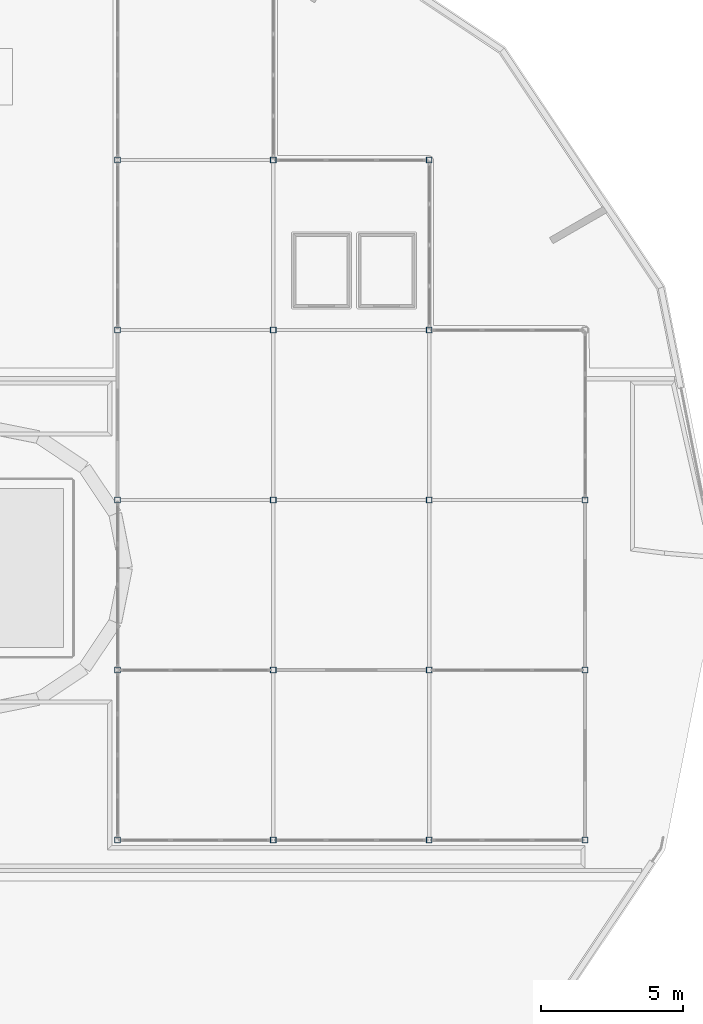
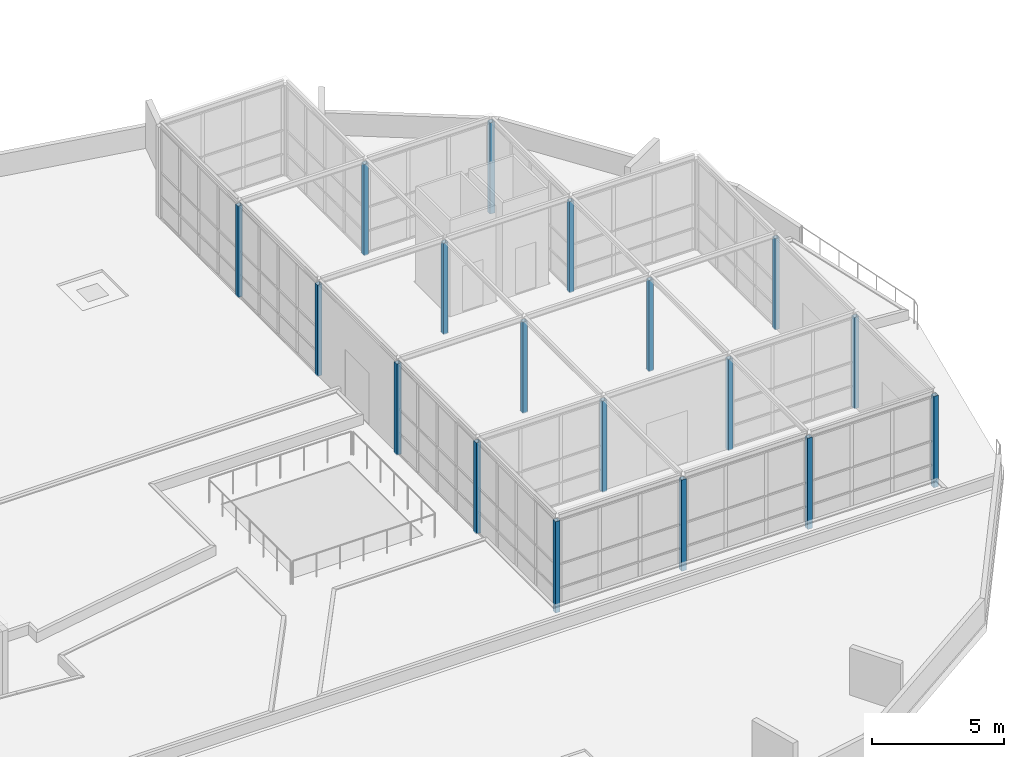
# One storey, part 2 of 40: 18 columns.
"""IFC4 building model written with IfcOpenShell, lengths in metres."""

from ifc_helpers import new_model, si_unit, direction, frame, origin, origin_2d, place, context, subcontext, project, spatial, hollow_rectangle, extrude, material, material_profile, profile_set, type_object, element, save


model = new_model("IFC4")

# Units and contexts
model_context = context("Model", 3, precision=1e-05, world=origin(), true_north=direction((0.0, 1.0)))
body_context = subcontext(model_context, "Body", "Model", "MODEL_VIEW")
ifc_project = project(units=[si_unit("LENGTHUNIT", "METRE"), si_unit("AREAUNIT", "SQUARE_METRE"), si_unit("VOLUMEUNIT", "CUBIC_METRE"), si_unit("PLANEANGLEUNIT", "RADIAN"), si_unit("MASSUNIT", "GRAM", prefix="KILO")], contexts=[model_context])

# Site, building, storey
site_placement = place(None, origin())
site = spatial("IfcSite", under=ifc_project, at=site_placement, CompositionType="ELEMENT")
building_placement = place(site_placement, origin())
building = spatial("IfcBuilding", under=site, at=building_placement, Name="Ceibo Conservatory and Research Tower", CompositionType="ELEMENT")
storey_placement = place(building_placement, frame((0.0, 0.0, 6.0)))
storey = spatial("IfcBuildingStorey", under=building, at=storey_placement, Name="L01", CompositionType="ELEMENT", Elevation=6.0)

# Columns
ifc_material = material(Name="Steel S355J2H", Category="steel")
ifc_material_profile = material_profile(ifc_material, hollow_rectangle(XDim=0.199951171875, YDim=0.199951171875, WallThickness=0.010009765625, at=origin_2d()), Name="Sky gallery RHS column 200x200x10")
ifc_profile_set = profile_set([ifc_material_profile], Name="Steel S355J2H")
column_type = type_object("IfcColumnType", Name="Sky gallery RHS column 200x200x10", PredefinedType="COLUMN", material=ifc_profile_set)
for number, where, z_axis, x_axis, name in (
    (1, (172.699951171875, 26.39990234375, -0.050048828125), (0.0, 0.0, 1.0), (1.0, 0.0, 0.0), "Sky Gallery column VC-SC00"),
    (2, (172.699951171875, 32.39990234375, -0.050048828125), (0.0, 0.0, 1.0), (1.0, 0.0, 0.0), "Sky Gallery column VC-SC01"),
    (3, (172.699951171875, 38.39990234375, -0.050048828125), (0.0, 0.0, 1.0), (1.0, 0.0, 0.0), "Sky Gallery column VC-SC02"),
    (4, (172.699951171875, 44.39990234375, -0.050048828125), (0.0, 0.0, 1.0), (1.0, 0.0, 0.0), "Sky Gallery column VC-SC03"),
    (5, (172.699951171875, 50.39990234375, -0.050048828125), (0.0, 0.0, 1.0), (1.0, 0.0, 0.0), "Sky Gallery column VC-SC04"),
    (6, (178.199951171875, 26.39990234375, -0.050048828125), (0.0, 0.0, 1.0), (1.0, 0.0, 0.0), "Sky Gallery column VC-SC10"),
    (7, (178.199951171875, 32.39990234375, -0.050048828125), (0.0, 0.0, 1.0), (1.0, 0.0, 0.0), "Sky Gallery column VC-SC11"),
    (8, (178.199951171875, 38.39990234375, -0.050048828125), (0.0, 0.0, 1.0), (1.0, 0.0, 0.0), "Sky Gallery column VC-SC12"),
    (9, (178.199951171875, 44.39990234375, -0.050048828125), (0.0, 0.0, 1.0), (1.0, 0.0, 0.0), "Sky Gallery column VC-SC13"),
    (10, (178.199951171875, 50.39990234375, -0.050048828125), (0.0, 0.0, 1.0), (1.0, 0.0, 0.0), "Sky Gallery column VC-SC14"),
    (11, (183.699951171875, 26.39990234375, -0.050048828125), (0.0, 0.0, 1.0), (1.0, 0.0, 0.0), "Sky Gallery column VC-SC20"),
    (12, (183.699951171875, 32.39990234375, -0.050048828125), (0.0, 0.0, 1.0), (1.0, 0.0, 0.0), "Sky Gallery column VC-SC21"),
    (13, (183.699951171875, 38.39990234375, -0.050048828125), (0.0, 0.0, 1.0), (1.0, 0.0, 0.0), "Sky Gallery column VC-SC22"),
    (14, (183.699951171875, 44.39990234375, -0.050048828125), (0.0, 0.0, 1.0), (1.0, 0.0, 0.0), "Sky Gallery column VC-SC23"),
    (15, (183.699951171875, 50.39990234375, -0.050048828125), (0.0, 0.0, 1.0), (1.0, 0.0, 0.0), "Sky Gallery column VC-SC24"),
    (16, (189.199951171875, 26.39990234375, -0.050048828125), (0.0, 0.0, 1.0), (1.0, 0.0, 0.0), "Sky Gallery column VC-SC30"),
    (17, (189.199951171875, 32.39990234375, -0.050048828125), (0.0, 0.0, 1.0), (1.0, 0.0, 0.0), "Sky Gallery column VC-SC31"),
    (18, (189.199951171875, 38.39990234375, -0.050048828125), (0.0, 0.0, 1.0), (1.0, 0.0, 0.0), "Sky Gallery column VC-SC32"),
):
    element("IfcColumn", number, at=place(storey_placement, frame(where, z_axis=z_axis, x_axis=x_axis)), inside=storey, type_object=column_type, Name=name, PredefinedType="COLUMN", context=body_context, shape_type="SweptSolid", body=[
        extrude(hollow_rectangle(XDim=0.199951171875, YDim=0.199951171875, WallThickness=0.010009765625, at=origin_2d()), origin(), (0.0, 0.0, 1.0), 4.2099609375),
    ])

save(model, "model.ifc")
